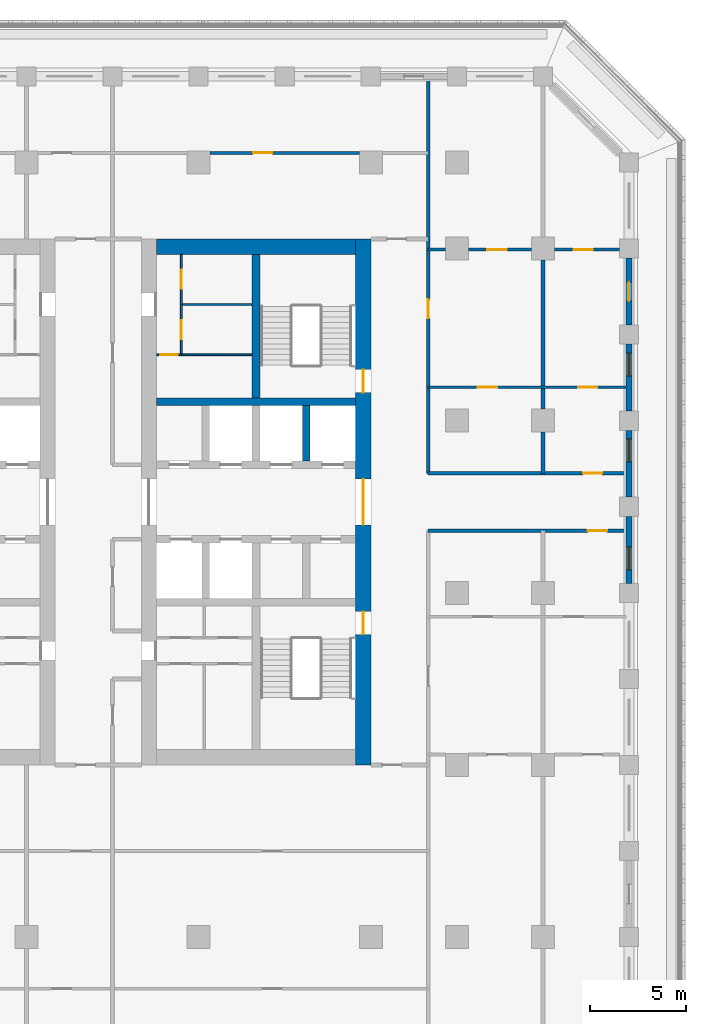
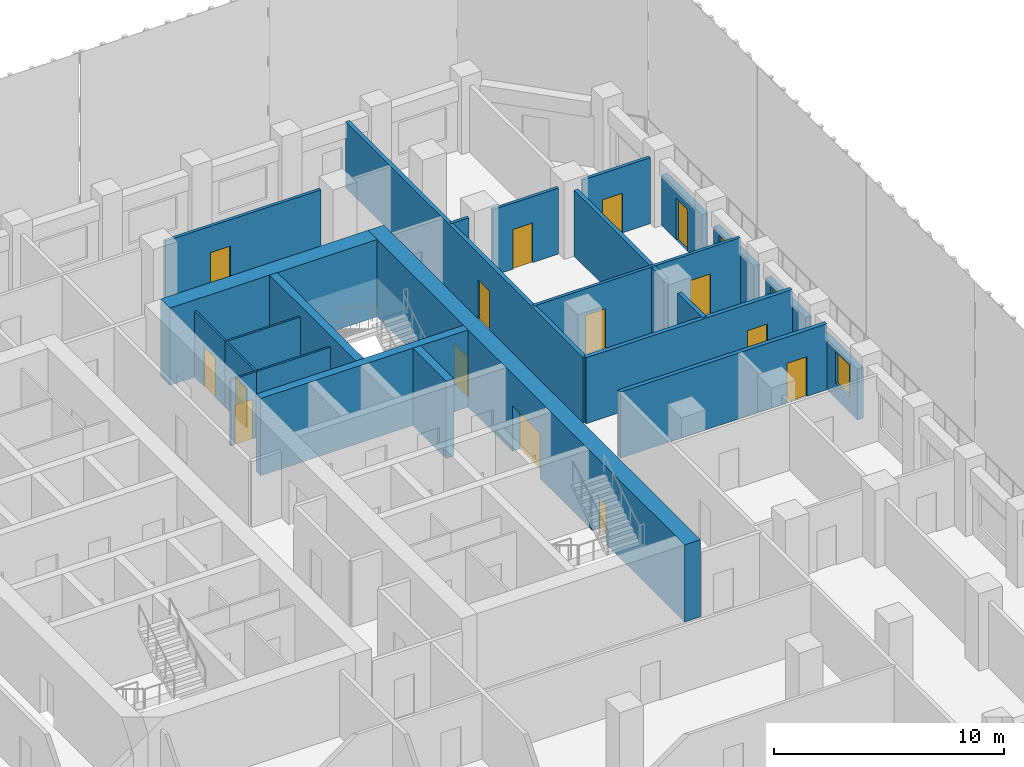
# One storey, part 8 of 17: 24 walls, 15 doors, 3 windows, 18 openings.
"""IFC4 building model written with IfcOpenShell, lengths in metres."""

from ifc_helpers import new_model, si_unit, direction, frame, frame_2d, origin, place, context, subcontext, project, spatial, rectangle, extrude, material, layer, layer_set, type_object, element, fill, save


model = new_model("IFC4")

# Units and contexts
model_context = context("Model", 3, precision=1e-05, world=origin(), true_north=direction((0.0, 1.0)))
body_context = subcontext(model_context, "Body", "Model", "MODEL_VIEW")
ifc_project = project(units=[si_unit("LENGTHUNIT", "METRE"), si_unit("AREAUNIT", "SQUARE_METRE"), si_unit("VOLUMEUNIT", "CUBIC_METRE"), si_unit("PLANEANGLEUNIT", "RADIAN"), si_unit("MASSUNIT", "GRAM", prefix="KILO")], contexts=[model_context])

# Site, building, storey
site_placement = place(None, origin())
site = spatial("IfcSite", under=ifc_project, at=site_placement, CompositionType="ELEMENT")
building_placement = place(site_placement, origin())
building = spatial("IfcBuilding", under=site, at=building_placement, Name="Corbel Stack Research Tower", CompositionType="ELEMENT")
storey_placement = place(building_placement, frame((0.0, 0.0, 216.10009765625)))
storey = spatial("IfcBuildingStorey", under=building, at=storey_placement, Name="L49", CompositionType="ELEMENT", Elevation=216.10009765625)

# Walls
ifc_material_1 = material(Name="Concrete C60/75", Category="concrete")
ifc_layer_1 = layer(ifc_material_1, 0.39990234375)
ifc_layer_set_1 = layer_set([ifc_layer_1], Name="Concrete C60/75")
wall_type_1 = type_object("IfcWallType", Name="CW-400-60", PredefinedType="SHEAR", material=ifc_layer_set_1)
wall_1_placement = place(storey_placement, frame((6.800048828125, 10.0, 0.0), z_axis=(0.0, 0.0, 1.0), x_axis=(1.0, 0.0, 0.0)))
element("IfcWall", 1, at=wall_1_placement, inside=storey, type_object=wall_type_1, Name="East core wall, north row back L49", PredefinedType="SHEAR", context=body_context, shape_type="SweptSolid", body=[
    extrude(rectangle(XDim=10.39990234375, YDim=0.39990234375, at=frame_2d((5.199951171875, 0.0))), origin(), (0.0, 0.0, 1.0), 4.099853515625),
])
wall_2_placement = place(storey_placement, frame((14.625, 6.89990234375, 0.0), z_axis=(0.0, 0.0, 1.0), x_axis=(0.0, 1.0, 0.0)))
element("IfcWall", 2, at=wall_2_placement, inside=storey, type_object=wall_type_1, Name="East core wall, north shaft 3 L49", PredefinedType="SHEAR", context=body_context, shape_type="SweptSolid", body=[
    extrude(rectangle(XDim=2.900146484375, YDim=0.39990234375, at=frame_2d((1.4501953125, 0.0))), origin(), (0.0, 0.0, 1.0), 4.099853515625),
])
wall_3_placement = place(storey_placement, frame((12.0, 10.199951171875, 0.0), z_axis=(0.0, 0.0, 1.0), x_axis=(0.0, 1.0, 0.0)))
element("IfcWall", 3, at=wall_3_placement, inside=storey, type_object=wall_type_1, Name="East core wall, north stair and riser L49", PredefinedType="SHEAR", context=body_context, shape_type="SweptSolid", body=[
    extrude(rectangle(XDim=7.5, YDim=0.39990234375, at=frame_2d((3.75, 0.0))), origin(), (0.0, 0.0, 1.0), 4.099853515625),
])

# Wall, openings, doors
ifc_material_2 = material(Name="Concrete C60/75", Category="concrete")
ifc_layer_2 = layer(ifc_material_2, 0.800048828125)
ifc_layer_set_2 = layer_set([ifc_layer_2], Name="Concrete C60/75")
wall_type_2 = type_object("IfcWallType", Name="CW-800-60", PredefinedType="SHEAR", material=ifc_layer_set_2)
wall_4_placement = place(storey_placement, frame((17.60009765625, -9.0, 0.0), z_axis=(0.0, 0.0, 1.0), x_axis=(0.0, 1.0, 0.0)))
wall_4 = element("IfcWall", 4, at=wall_4_placement, inside=storey, type_object=wall_type_2, Name="East core wall, east face L49", PredefinedType="SHEAR", context=body_context, shape_type="SweptSolid", body=[
    extrude(rectangle(XDim=27.5, YDim=0.800048828125, at=frame_2d((13.75, 0.0))), origin(), (0.0, 0.0, 1.0), 4.099853515625),
])
opening_1_placement = place(wall_4_placement, frame((12.550048828125, 0.0, 0.0)))
opening_1 = element("IfcOpeningElement", 5, at=opening_1_placement, cuts=wall_4, Name="Opening CD-E-E", PredefinedType="OPENING", context=body_context, shape_type="SweptSolid", body=[
    extrude(rectangle(XDim=2.39990234375, YDim=2.39990234375, at=frame_2d((1.199951171875, 1.199951171875))), frame((0.0, 0.409912109375, 0.0), z_axis=(0.0, -1.0, 0.0), x_axis=(1.0, 0.0, 0.0)), (0.0, 0.0, 1.0), 0.820068359375),
])
opening_2_placement = place(wall_4_placement, frame((6.824951171875, 0.0, 0.0)))
opening_2 = element("IfcOpeningElement", 6, at=opening_2_placement, cuts=wall_4, Name="Opening SD-ST-E1", PredefinedType="OPENING", context=body_context, shape_type="SweptSolid", body=[
    extrude(rectangle(XDim=1.199951171875, YDim=2.10009765625, at=frame_2d((0.60009765625, 1.050048828125))), frame((0.0, 0.409912109375, 0.0), z_axis=(0.0, -1.0, 0.0), x_axis=(1.0, 0.0, 0.0)), (0.0, 0.0, 1.0), 0.820068359375),
])
opening_3_placement = place(wall_4_placement, frame((19.47509765625, 0.0, 0.0)))
opening_3 = element("IfcOpeningElement", 7, at=opening_3_placement, cuts=wall_4, Name="Opening SD-ST-E2", PredefinedType="OPENING", context=body_context, shape_type="SweptSolid", body=[
    extrude(rectangle(XDim=1.199951171875, YDim=2.10009765625, at=frame_2d((0.60009765625, 1.050048828125))), frame((0.0, 0.409912109375, 0.0), z_axis=(0.0, -1.0, 0.0), x_axis=(1.0, 0.0, 0.0)), (0.0, 0.0, 1.0), 0.820068359375),
])
ifc_material_3 = material(Name="Painted steel fire door", Category="steel")
door_type_1 = type_object("IfcDoorType", Name="Lobby door pair 2400 x 2400 FD30S", OperationType="DOUBLE_DOOR_DOUBLE_SWING", PredefinedType="DOOR", material=ifc_material_3)
door_1_placement = place(opening_1_placement, origin())
door_1 = element("IfcDoor", 8, at=door_1_placement, inside=storey, type_object=door_type_1, Name="Lift lobby door E core E", OperationType="DOUBLE_DOOR_DOUBLE_SWING", OverallHeight=2.39990234375, OverallWidth=2.39990234375, PredefinedType="DOOR", context=body_context, shape_type="SweptSolid", body=[
    extrude(rectangle(XDim=2.39990234375, YDim=2.39990234375, at=frame_2d((1.199951171875, 1.199951171875))), frame((0.0, 0.02490234375, 0.0), z_axis=(0.0, -1.0, 0.0), x_axis=(1.0, 0.0, 0.0)), (0.0, 0.0, 1.0), 0.050048828125),
])
fill(opening_1, door_1)
ifc_material_4 = material(Name="Painted steel fire door", Category="steel")
door_type_2 = type_object("IfcDoorType", Name="Stair door 1200 x 2100 FD90 right hand", OperationType="SINGLE_SWING_RIGHT", PredefinedType="DOOR", material=ifc_material_4)
door_2_placement = place(opening_2_placement, frame((1.199951171875, 0.0, 0.0), z_axis=(0.0, 0.0, 1.0), x_axis=(-1.0, 0.0, 0.0)))
door_2 = element("IfcDoor", 9, at=door_2_placement, inside=storey, type_object=door_type_2, Name="Stair door ST-E1", OperationType="SINGLE_SWING_LEFT", OverallHeight=2.10009765625, OverallWidth=1.199951171875, PredefinedType="DOOR", context=body_context, shape_type="SweptSolid", body=[
    extrude(rectangle(XDim=1.199951171875, YDim=2.10009765625, at=frame_2d((0.60009765625, 1.050048828125))), frame((0.0, 0.02490234375, 0.0), z_axis=(0.0, -1.0, 0.0), x_axis=(1.0, 0.0, 0.0)), (0.0, 0.0, 1.0), 0.050048828125),
])
fill(opening_2, door_2)
door_3_placement = place(opening_3_placement, frame((1.199951171875, 0.0, 0.0), z_axis=(0.0, 0.0, 1.0), x_axis=(-1.0, 0.0, 0.0)))
door_3 = element("IfcDoor", 10, at=door_3_placement, inside=storey, type_object=door_type_2, Name="Stair door ST-E2", OperationType="SINGLE_SWING_LEFT", OverallHeight=2.10009765625, OverallWidth=1.199951171875, PredefinedType="DOOR", context=body_context, shape_type="SweptSolid", body=[
    extrude(rectangle(XDim=1.199951171875, YDim=2.10009765625, at=frame_2d((0.60009765625, 1.050048828125))), frame((0.0, 0.02490234375, 0.0), z_axis=(0.0, -1.0, 0.0), x_axis=(1.0, 0.0, 0.0)), (0.0, 0.0, 1.0), 0.050048828125),
])
fill(opening_3, door_3)

# Wall
wall_5_placement = place(storey_placement, frame((6.800048828125, 18.10009765625, 0.0), z_axis=(0.0, 0.0, 1.0), x_axis=(1.0, 0.0, 0.0)))
element("IfcWall", 11, at=wall_5_placement, inside=storey, type_object=wall_type_2, Name="East core wall, north end L49", PredefinedType="SHEAR", context=body_context, shape_type="SweptSolid", body=[
    extrude(rectangle(XDim=10.39990234375, YDim=0.800048828125, at=frame_2d((5.199951171875, 0.0))), origin(), (0.0, 0.0, 1.0), 4.099853515625),
])

# Wall, opening, door
ifc_material_5 = material(Name="Gypsum board")
ifc_layer_3 = layer(ifc_material_5, 0.10009765625)
ifc_layer_set_3 = layer_set([ifc_layer_3], Name="Gypsum board")
wall_type_3 = type_object("IfcWallType", Name="Core partition 100", PredefinedType="PARTITIONING", material=ifc_layer_set_3)
wall_6_placement = place(storey_placement, frame((6.800048828125, 12.449951171875, 0.0), z_axis=(0.0, 0.0, 1.0), x_axis=(1.0, 0.0, 0.0)))
wall_6 = element("IfcWall", 12, at=wall_6_placement, inside=storey, type_object=wall_type_3, Name="Core partition E", PredefinedType="PARTITIONING", context=body_context, shape_type="SweptSolid", body=[
    extrude(rectangle(XDim=1.300048828125, YDim=0.10009765625, at=frame_2d((0.64990234375, 0.0))), origin(), (0.0, 0.0, 1.0), 3.5),
])
opening_4_placement = place(wall_6_placement, frame((0.199951171875, 0.0, 0.0)))
opening_4 = element("IfcOpeningElement", 13, at=opening_4_placement, cuts=wall_6, Name="Opening CR-E54-R1-900", PredefinedType="OPENING", context=body_context, shape_type="SweptSolid", body=[
    extrude(rectangle(XDim=0.89990234375, YDim=2.10009765625, at=frame_2d((0.449951171875, 1.050048828125))), frame((0.0, 0.06005859375, 0.0), z_axis=(0.0, -1.0, 0.0), x_axis=(1.0, 0.0, 0.0)), (0.0, 0.0, 1.0), 0.1201171875),
])
ifc_material_6 = material(Name="Painted steel door", Category="steel")
door_type_3 = type_object("IfcDoorType", Name="Riser door 900 x 2100 FD60 right hand", OperationType="SINGLE_SWING_RIGHT", PredefinedType="DOOR", material=ifc_material_6)
door_4_placement = place(opening_4_placement, origin())
door_4 = element("IfcDoor", 14, at=door_4_placement, inside=storey, type_object=door_type_3, Name="Electrical riser door E core", OperationType="SINGLE_SWING_RIGHT", OverallHeight=2.10009765625, OverallWidth=0.89990234375, PredefinedType="DOOR", context=body_context, shape_type="SweptSolid", body=[
    extrude(rectangle(XDim=0.89990234375, YDim=2.10009765625, at=frame_2d((0.449951171875, 1.050048828125))), frame((0.0, 0.02490234375, 0.0), z_axis=(0.0, -1.0, 0.0), x_axis=(1.0, 0.0, 0.0)), (0.0, 0.0, 1.0), 0.050048828125),
])
fill(opening_4, door_4)

# Wall
wall_7_placement = place(storey_placement, frame((8.10009765625, 12.449951171875, 0.0), z_axis=(0.0, 0.0, 1.0), x_axis=(1.0, 0.0, 0.0)))
element("IfcWall", 15, at=wall_7_placement, inside=storey, type_object=wall_type_3, Name="Core partition E", PredefinedType="PARTITIONING", context=body_context, shape_type="SweptSolid", body=[
    extrude(rectangle(XDim=3.699951171875, YDim=0.10009765625, at=frame_2d((1.85009765625, 0.0))), origin(), (0.0, 0.0, 1.0), 3.5),
])

# Wall, opening, door
wall_8_placement = place(storey_placement, frame((8.10009765625, 12.449951171875, 0.0), z_axis=(0.0, 0.0, 1.0), x_axis=(0.0, 1.0, 0.0)))
wall_8 = element("IfcWall", 16, at=wall_8_placement, inside=storey, type_object=wall_type_3, Name="Core partition E", PredefinedType="PARTITIONING", context=body_context, shape_type="SweptSolid", body=[
    extrude(rectangle(XDim=2.625, YDim=0.10009765625, at=frame_2d((1.3125, 0.0))), origin(), (0.0, 0.0, 1.0), 3.5),
])
opening_5_placement = place(wall_8_placement, frame((0.8125, 0.0, 0.0)))
opening_5 = element("IfcOpeningElement", 17, at=opening_5_placement, cuts=wall_8, Name="Opening CR-E54-R3-1000", PredefinedType="OPENING", context=body_context, shape_type="SweptSolid", body=[
    extrude(rectangle(XDim=1.0, YDim=2.10009765625, at=frame_2d((0.5, 1.050048828125))), frame((0.0, 0.06005859375, 0.0), z_axis=(0.0, -1.0, 0.0), x_axis=(1.0, 0.0, 0.0)), (0.0, 0.0, 1.0), 0.1201171875),
])
ifc_material_7 = material(Name="Painted steel door", Category="steel")
door_type_4 = type_object("IfcDoorType", Name="Service door 1000 x 2100 FD30 right hand", OperationType="SINGLE_SWING_RIGHT", PredefinedType="DOOR", material=ifc_material_7)
door_5_placement = place(opening_5_placement, origin())
door_5 = element("IfcDoor", 18, at=door_5_placement, inside=storey, type_object=door_type_4, Name="Pantry door E core", OperationType="SINGLE_SWING_RIGHT", OverallHeight=2.10009765625, OverallWidth=1.0, PredefinedType="DOOR", context=body_context, shape_type="SweptSolid", body=[
    extrude(rectangle(XDim=1.0, YDim=2.10009765625, at=frame_2d((0.5, 1.050048828125))), frame((0.0, 0.02490234375, 0.0), z_axis=(0.0, -1.0, 0.0), x_axis=(1.0, 0.0, 0.0)), (0.0, 0.0, 1.0), 0.050048828125),
])
fill(opening_5, door_5)

wall_9_placement = place(storey_placement, frame((8.10009765625, 15.074951171875, 0.0), z_axis=(0.0, 0.0, 1.0), x_axis=(0.0, 1.0, 0.0)))
wall_9 = element("IfcWall", 19, at=wall_9_placement, inside=storey, type_object=wall_type_3, Name="Core partition E", PredefinedType="PARTITIONING", context=body_context, shape_type="SweptSolid", body=[
    extrude(rectangle(XDim=2.625, YDim=0.10009765625, at=frame_2d((1.3125, 0.0))), origin(), (0.0, 0.0, 1.0), 3.5),
])
opening_6_placement = place(wall_9_placement, frame((0.8125, 0.0, 0.0)))
opening_6 = element("IfcOpeningElement", 20, at=opening_6_placement, cuts=wall_9, Name="Opening CR-E54-R4-1000", PredefinedType="OPENING", context=body_context, shape_type="SweptSolid", body=[
    extrude(rectangle(XDim=1.0, YDim=2.10009765625, at=frame_2d((0.5, 1.050048828125))), frame((0.0, 0.06005859375, 0.0), z_axis=(0.0, -1.0, 0.0), x_axis=(1.0, 0.0, 0.0)), (0.0, 0.0, 1.0), 0.1201171875),
])
ifc_material_8 = material(Name="Painted steel door", Category="steel")
door_type_5 = type_object("IfcDoorType", Name="Service door 1000 x 2100 FD30 left hand", OperationType="SINGLE_SWING_LEFT", PredefinedType="DOOR", material=ifc_material_8)
door_6_placement = place(opening_6_placement, origin())
door_6 = element("IfcDoor", 21, at=door_6_placement, inside=storey, type_object=door_type_5, Name="Copy and supply store door E core", OperationType="SINGLE_SWING_LEFT", OverallHeight=2.10009765625, OverallWidth=1.0, PredefinedType="DOOR", context=body_context, shape_type="SweptSolid", body=[
    extrude(rectangle(XDim=1.0, YDim=2.10009765625, at=frame_2d((0.5, 1.050048828125))), frame((0.0, 0.02490234375, 0.0), z_axis=(0.0, -1.0, 0.0), x_axis=(1.0, 0.0, 0.0)), (0.0, 0.0, 1.0), 0.050048828125),
])
fill(opening_6, door_6)

# Wall
wall_10_placement = place(storey_placement, frame((8.10009765625, 15.074951171875, 0.0), z_axis=(0.0, 0.0, 1.0), x_axis=(1.0, 0.0, 0.0)))
element("IfcWall", 22, at=wall_10_placement, inside=storey, type_object=wall_type_3, Name="Core partition E", PredefinedType="PARTITIONING", context=body_context, shape_type="SweptSolid", body=[
    extrude(rectangle(XDim=3.699951171875, YDim=0.10009765625, at=frame_2d((1.85009765625, 0.0))), origin(), (0.0, 0.0, 1.0), 3.5),
])

# Wall, opening, door
ifc_material_9 = material(Name="Fire-rated gypsum board partition on steel studs", Category="steel")
ifc_layer_4 = layer(ifc_material_9, 0.199951171875)
ifc_layer_set_4 = layer_set([ifc_layer_4], Name="Fire-rated gypsum board partition on steel studs")
wall_type_4 = type_object("IfcWallType", Name="Fire-rated partition 200 EI 60", PredefinedType="PARTITIONING", material=ifc_layer_set_4)
wall_11_placement = place(storey_placement, frame((21.0, 26.85009765625, 0.0), z_axis=(0.0, 0.0, 1.0), x_axis=(0.0, -1.0, 0.0)))
wall_11 = element("IfcWall", 23, at=wall_11_placement, inside=storey, type_object=wall_type_4, Name="Partition L49-022", PredefinedType="PARTITIONING", context=body_context, shape_type="SweptSolid", body=[
    extrude(rectangle(XDim=20.60009765625, YDim=0.199951171875, at=frame_2d((10.300048828125, 0.0))), origin(), (0.0, 0.0, 1.0), 3.5),
])
opening_7_placement = place(wall_11_placement, frame((11.5, 0.0, 0.0)))
opening_7 = element("IfcOpeningElement", 24, at=opening_7_placement, cuts=wall_11, Name="Opening B6V2-043", PredefinedType="OPENING", context=body_context, shape_type="SweptSolid", body=[
    extrude(rectangle(XDim=1.0, YDim=2.10009765625, at=frame_2d((0.5, 1.050048828125))), frame((0.0, 0.10986328125, 0.0), z_axis=(0.0, -1.0, 0.0), x_axis=(1.0, 0.0, 0.0)), (0.0, 0.0, 1.0), 0.219970703125),
])
ifc_material_10 = material(Name="Painted steel fire door", Category="steel")
door_type_6 = type_object("IfcDoorType", Name="Fire door FD30S 1000 x 2100", OperationType="NOTDEFINED", PredefinedType="DOOR", material=ifc_material_10)
door_7_placement = place(opening_7_placement, origin())
door_7 = element("IfcDoor", 25, at=door_7_placement, inside=storey, type_object=door_type_6, Name="Door B6V2-043", OperationType="SINGLE_SWING_RIGHT", OverallHeight=2.10009765625, OverallWidth=1.0, PredefinedType="DOOR", context=body_context, shape_type="SweptSolid", body=[
    extrude(rectangle(XDim=1.0, YDim=2.10009765625, at=frame_2d((0.5, 1.050048828125))), frame((0.0, 0.02490234375, 0.0), z_axis=(0.0, -1.0, 0.0), x_axis=(1.0, 0.0, 0.0)), (0.0, 0.0, 1.0), 0.050048828125),
])
fill(opening_7, door_7)

# Walls
wall_12_placement = place(storey_placement, frame((27.0, 6.25, 0.0), z_axis=(0.0, 0.0, 1.0), x_axis=(0.0, 1.0, 0.0)))
element("IfcWall", 26, at=wall_12_placement, inside=storey, type_object=wall_type_4, Name="Partition L49-027", PredefinedType="PARTITIONING", context=body_context, shape_type="SweptSolid", body=[
    extrude(rectangle(XDim=2.14990234375, YDim=0.199951171875, at=frame_2d((1.074951171875, 0.0))), origin(), (0.0, 0.0, 1.0), 3.5),
])
wall_13_placement = place(storey_placement, frame((27.0, 9.60009765625, 0.0), z_axis=(0.0, 0.0, 1.0), x_axis=(0.0, 1.0, 0.0)))
element("IfcWall", 27, at=wall_13_placement, inside=storey, type_object=wall_type_4, Name="Partition L49-028", PredefinedType="PARTITIONING", context=body_context, shape_type="SweptSolid", body=[
    extrude(rectangle(XDim=7.7998046875, YDim=0.199951171875, at=frame_2d((3.89990234375, 0.0))), origin(), (0.0, 0.0, 1.0), 3.5),
])

# Wall, opening, door
wall_14_placement = place(storey_placement, frame((31.35009765625, 3.25, 0.0), z_axis=(0.0, 0.0, 1.0), x_axis=(-1.0, 0.0, 0.0)))
wall_14 = element("IfcWall", 28, at=wall_14_placement, inside=storey, type_object=wall_type_4, Name="Partition L49-046", PredefinedType="PARTITIONING", context=body_context, shape_type="SweptSolid", body=[
    extrude(rectangle(XDim=10.35009765625, YDim=0.199951171875, at=frame_2d((5.175048828125, 0.0))), origin(), (0.0, 0.0, 1.0), 3.5),
])
opening_8_placement = place(wall_14_placement, frame((1.0, 0.0, 0.0)))
opening_8 = element("IfcOpeningElement", 29, at=opening_8_placement, cuts=wall_14, Name="Opening B6V2-025", PredefinedType="OPENING", context=body_context, shape_type="SweptSolid", body=[
    extrude(rectangle(XDim=1.0, YDim=2.10009765625, at=frame_2d((0.5, 1.050048828125))), frame((0.0, 0.10986328125, 0.0), z_axis=(0.0, -1.0, 0.0), x_axis=(1.0, 0.0, 0.0)), (0.0, 0.0, 1.0), 0.219970703125),
])
door_8_placement = place(opening_8_placement, origin())
door_8 = element("IfcDoor", 30, at=door_8_placement, inside=storey, type_object=door_type_6, Name="Door B6V2-025", OperationType="SINGLE_SWING_LEFT", OverallHeight=2.10009765625, OverallWidth=1.0, PredefinedType="DOOR", context=body_context, shape_type="SweptSolid", body=[
    extrude(rectangle(XDim=1.0, YDim=2.10009765625, at=frame_2d((0.5, 1.050048828125))), frame((0.0, 0.02490234375, 0.0), z_axis=(0.0, -1.0, 0.0), x_axis=(1.0, 0.0, 0.0)), (0.0, 0.0, 1.0), 0.050048828125),
])
fill(opening_8, door_8)

wall_15_placement = place(storey_placement, frame((21.0, 6.25, 0.0), z_axis=(0.0, 0.0, 1.0), x_axis=(1.0, 0.0, 0.0)))
wall_15 = element("IfcWall", 31, at=wall_15_placement, inside=storey, type_object=wall_type_4, Name="Partition L49-048", PredefinedType="PARTITIONING", context=body_context, shape_type="SweptSolid", body=[
    extrude(rectangle(XDim=10.35009765625, YDim=0.199951171875, at=frame_2d((5.175048828125, 0.0))), origin(), (0.0, 0.0, 1.0), 3.5),
])
opening_9_placement = place(wall_15_placement, frame((8.10009765625, 0.0, 0.0)))
opening_9 = element("IfcOpeningElement", 32, at=opening_9_placement, cuts=wall_15, Name="Opening B6V2-030", PredefinedType="OPENING", context=body_context, shape_type="SweptSolid", body=[
    extrude(rectangle(XDim=1.0, YDim=2.10009765625, at=frame_2d((0.5, 1.050048828125))), frame((0.0, 0.10986328125, 0.0), z_axis=(0.0, -1.0, 0.0), x_axis=(1.0, 0.0, 0.0)), (0.0, 0.0, 1.0), 0.219970703125),
])
door_9_placement = place(opening_9_placement, origin())
door_9 = element("IfcDoor", 33, at=door_9_placement, inside=storey, type_object=door_type_6, Name="Door B6V2-030", OperationType="SINGLE_SWING_RIGHT", OverallHeight=2.10009765625, OverallWidth=1.0, PredefinedType="DOOR", context=body_context, shape_type="SweptSolid", body=[
    extrude(rectangle(XDim=1.0, YDim=2.10009765625, at=frame_2d((0.5, 1.050048828125))), frame((0.0, 0.02490234375, 0.0), z_axis=(0.0, -1.0, 0.0), x_axis=(1.0, 0.0, 0.0)), (0.0, 0.0, 1.0), 0.050048828125),
])
fill(opening_9, door_9)

# Wall, openings, doors
ifc_material_11 = material(Name="Gypsum board partition on steel studs", Category="steel")
ifc_layer_5 = layer(ifc_material_11, 0.14990234375)
ifc_layer_set_5 = layer_set([ifc_layer_5], Name="Gypsum board partition on steel studs")
wall_type_5 = type_object("IfcWallType", Name="Partition 150", PredefinedType="PARTITIONING", material=ifc_layer_set_5)
wall_16_placement = place(storey_placement, frame((31.35009765625, 10.75, 0.0), z_axis=(0.0, 0.0, 1.0), x_axis=(-1.0, 0.0, 0.0)))
wall_16 = element("IfcWall", 34, at=wall_16_placement, inside=storey, type_object=wall_type_5, Name="Partition L49-051", PredefinedType="PARTITIONING", context=body_context, shape_type="SweptSolid", body=[
    extrude(rectangle(XDim=10.35009765625, YDim=0.14990234375, at=frame_2d((5.175048828125, 0.0))), origin(), (0.0, 0.0, 1.0), 3.5),
])
opening_10_placement = place(wall_16_placement, frame((6.75, 0.0, 0.0)))
opening_10 = element("IfcOpeningElement", 35, at=opening_10_placement, cuts=wall_16, Name="Opening B6V2-033", PredefinedType="OPENING", context=body_context, shape_type="SweptSolid", body=[
    extrude(rectangle(XDim=1.0, YDim=2.10009765625, at=frame_2d((0.5, 1.050048828125))), frame((0.0, 0.0849609375, 0.0), z_axis=(0.0, -1.0, 0.0), x_axis=(1.0, 0.0, 0.0)), (0.0, 0.0, 1.0), 0.169921875),
])
opening_11_placement = place(wall_16_placement, frame((1.5, 0.0, 0.0)))
opening_11 = element("IfcOpeningElement", 36, at=opening_11_placement, cuts=wall_16, Name="Opening B6V2-034", PredefinedType="OPENING", context=body_context, shape_type="SweptSolid", body=[
    extrude(rectangle(XDim=1.0, YDim=2.10009765625, at=frame_2d((0.5, 1.050048828125))), frame((0.0, 0.0849609375, 0.0), z_axis=(0.0, -1.0, 0.0), x_axis=(1.0, 0.0, 0.0)), (0.0, 0.0, 1.0), 0.169921875),
])
ifc_material_12 = material(Name="Painted timber door", Category="wood")
door_type_7 = type_object("IfcDoorType", Name="Single door 1000 x 2100", OperationType="NOTDEFINED", PredefinedType="DOOR", material=ifc_material_12)
door_10_placement = place(opening_10_placement, origin())
door_10 = element("IfcDoor", 37, at=door_10_placement, inside=storey, type_object=door_type_7, Name="Door B6V2-033", OperationType="SINGLE_SWING_RIGHT", OverallHeight=2.10009765625, OverallWidth=1.0, PredefinedType="DOOR", context=body_context, shape_type="SweptSolid", body=[
    extrude(rectangle(XDim=1.0, YDim=2.10009765625, at=frame_2d((0.5, 1.050048828125))), frame((0.0, 0.02490234375, 0.0), z_axis=(0.0, -1.0, 0.0), x_axis=(1.0, 0.0, 0.0)), (0.0, 0.0, 1.0), 0.050048828125),
])
fill(opening_10, door_10)
door_11_placement = place(opening_11_placement, origin())
door_11 = element("IfcDoor", 38, at=door_11_placement, inside=storey, type_object=door_type_7, Name="Door B6V2-034", OperationType="SINGLE_SWING_LEFT", OverallHeight=2.10009765625, OverallWidth=1.0, PredefinedType="DOOR", context=body_context, shape_type="SweptSolid", body=[
    extrude(rectangle(XDim=1.0, YDim=2.10009765625, at=frame_2d((0.5, 1.050048828125))), frame((0.0, 0.02490234375, 0.0), z_axis=(0.0, -1.0, 0.0), x_axis=(1.0, 0.0, 0.0)), (0.0, 0.0, 1.0), 0.050048828125),
])
fill(opening_11, door_11)

# Wall
wall_17_placement = place(storey_placement, frame((21.0, 17.949951171875, 0.0), z_axis=(0.0, 0.0, 1.0), x_axis=(1.0, 0.0, 0.0)))
element("IfcWall", 39, at=wall_17_placement, inside=storey, type_object=wall_type_5, Name="Partition L49-054", PredefinedType="PARTITIONING", context=body_context, shape_type="SweptSolid", body=[
    extrude(rectangle(XDim=0.89990234375, YDim=0.14990234375, at=frame_2d((0.449951171875, 0.0))), origin(), (0.0, 0.0, 1.0), 3.5),
])

# Wall, opening, door
wall_18_placement = place(storey_placement, frame((23.10009765625, 17.949951171875, 0.0), z_axis=(0.0, 0.0, 1.0), x_axis=(1.0, 0.0, 0.0)))
wall_18 = element("IfcWall", 40, at=wall_18_placement, inside=storey, type_object=wall_type_5, Name="Partition L49-055", PredefinedType="PARTITIONING", context=body_context, shape_type="SweptSolid", body=[
    extrude(rectangle(XDim=3.2998046875, YDim=0.14990234375, at=frame_2d((1.64990234375, 0.0))), origin(), (0.0, 0.0, 1.0), 3.5),
])
opening_12_placement = place(wall_18_placement, frame((1.0, 0.0, 0.0)))
opening_12 = element("IfcOpeningElement", 41, at=opening_12_placement, cuts=wall_18, Name="Opening B6V2-037", PredefinedType="OPENING", context=body_context, shape_type="SweptSolid", body=[
    extrude(rectangle(XDim=1.0, YDim=2.10009765625, at=frame_2d((0.5, 1.050048828125))), frame((0.0, 0.0849609375, 0.0), z_axis=(0.0, -1.0, 0.0), x_axis=(1.0, 0.0, 0.0)), (0.0, 0.0, 1.0), 0.169921875),
])
door_12_placement = place(opening_12_placement, origin())
door_12 = element("IfcDoor", 42, at=door_12_placement, inside=storey, type_object=door_type_7, Name="Door B6V2-037", OperationType="SINGLE_SWING_LEFT", OverallHeight=2.10009765625, OverallWidth=1.0, PredefinedType="DOOR", context=body_context, shape_type="SweptSolid", body=[
    extrude(rectangle(XDim=1.0, YDim=2.10009765625, at=frame_2d((0.5, 1.050048828125))), frame((0.0, 0.02490234375, 0.0), z_axis=(0.0, -1.0, 0.0), x_axis=(1.0, 0.0, 0.0)), (0.0, 0.0, 1.0), 0.050048828125),
])
fill(opening_12, door_12)

wall_19_placement = place(storey_placement, frame((27.60009765625, 17.949951171875, 0.0), z_axis=(0.0, 0.0, 1.0), x_axis=(1.0, 0.0, 0.0)))
wall_19 = element("IfcWall", 43, at=wall_19_placement, inside=storey, type_object=wall_type_5, Name="Partition L49-056", PredefinedType="PARTITIONING", context=body_context, shape_type="SweptSolid", body=[
    extrude(rectangle(XDim=3.39990234375, YDim=0.14990234375, at=frame_2d((1.699951171875, 0.0))), origin(), (0.0, 0.0, 1.0), 3.5),
])
opening_13_placement = place(wall_19_placement, frame((1.0, 0.0, 0.0)))
opening_13 = element("IfcOpeningElement", 44, at=opening_13_placement, cuts=wall_19, Name="Opening B6V2-038", PredefinedType="OPENING", context=body_context, shape_type="SweptSolid", body=[
    extrude(rectangle(XDim=1.0, YDim=2.10009765625, at=frame_2d((0.5, 1.050048828125))), frame((0.0, 0.0849609375, 0.0), z_axis=(0.0, -1.0, 0.0), x_axis=(1.0, 0.0, 0.0)), (0.0, 0.0, 1.0), 0.169921875),
])
door_13_placement = place(opening_13_placement, origin())
door_13 = element("IfcDoor", 45, at=door_13_placement, inside=storey, type_object=door_type_7, Name="Door B6V2-038", OperationType="SINGLE_SWING_LEFT", OverallHeight=2.10009765625, OverallWidth=1.0, PredefinedType="DOOR", context=body_context, shape_type="SweptSolid", body=[
    extrude(rectangle(XDim=1.0, YDim=2.10009765625, at=frame_2d((0.5, 1.050048828125))), frame((0.0, 0.02490234375, 0.0), z_axis=(0.0, -1.0, 0.0), x_axis=(1.0, 0.0, 0.0)), (0.0, 0.0, 1.0), 0.050048828125),
])
fill(opening_13, door_13)

wall_20_placement = place(storey_placement, frame((9.60009765625, 23.0, 0.0), z_axis=(0.0, 0.0, 1.0), x_axis=(1.0, 0.0, 0.0)))
wall_20 = element("IfcWall", 46, at=wall_20_placement, inside=storey, type_object=wall_type_5, Name="Partition L49-063", PredefinedType="PARTITIONING", context=body_context, shape_type="SweptSolid", body=[
    extrude(rectangle(XDim=7.7998046875, YDim=0.14990234375, at=frame_2d((3.89990234375, 0.0))), origin(), (0.0, 0.0, 1.0), 3.5),
])
opening_14_placement = place(wall_20_placement, frame((2.25, 0.0, 0.0)))
opening_14 = element("IfcOpeningElement", 47, at=opening_14_placement, cuts=wall_20, Name="Opening B6V2-047", PredefinedType="OPENING", context=body_context, shape_type="SweptSolid", body=[
    extrude(rectangle(XDim=1.0, YDim=2.10009765625, at=frame_2d((0.5, 1.050048828125))), frame((0.0, 0.0849609375, 0.0), z_axis=(0.0, -1.0, 0.0), x_axis=(1.0, 0.0, 0.0)), (0.0, 0.0, 1.0), 0.169921875),
])
door_14_placement = place(opening_14_placement, origin())
door_14 = element("IfcDoor", 48, at=door_14_placement, inside=storey, type_object=door_type_7, Name="Door B6V2-047", OperationType="SINGLE_SWING_LEFT", OverallHeight=2.10009765625, OverallWidth=1.0, PredefinedType="DOOR", context=body_context, shape_type="SweptSolid", body=[
    extrude(rectangle(XDim=1.0, YDim=2.10009765625, at=frame_2d((0.5, 1.050048828125))), frame((0.0, 0.02490234375, 0.0), z_axis=(0.0, -1.0, 0.0), x_axis=(1.0, 0.0, 0.0)), (0.0, 0.0, 1.0), 0.050048828125),
])
fill(opening_14, door_14)

# Wall, opening, window
ifc_material_13 = material(Name="Concrete C45/55", Category="concrete")
ifc_layer_6 = layer(ifc_material_13, 0.300048828125)
ifc_layer_set_6 = layer_set([ifc_layer_6], Name="Concrete C45/55")
wall_type_6 = type_object("IfcWallType", Name="Terracotta-faced concrete wall 300", PredefinedType="SOLIDWALL", material=ifc_layer_set_6)
wall_21_placement = place(storey_placement, frame((31.5, 4.0, 0.0), z_axis=(0.0, 0.0, 1.0), x_axis=(0.0, -1.0, 0.0)))
wall_21 = element("IfcWall", 49, at=wall_21_placement, inside=storey, type_object=wall_type_6, Name="Facade wall L49 E06", PredefinedType="SOLIDWALL", context=body_context, shape_type="SweptSolid", body=[
    extrude(rectangle(XDim=3.5, YDim=0.300048828125, at=frame_2d((1.75, 0.0))), origin(), (0.0, 0.0, 1.0), 2.699951171875),
])
opening_15_placement = place(wall_21_placement, frame((1.60009765625, 0.0, 0.800048828125)))
opening_15 = element("IfcOpeningElement", 50, at=opening_15_placement, cuts=wall_21, Name="Opening W2", PredefinedType="OPENING", context=body_context, shape_type="SweptSolid", body=[
    extrude(rectangle(XDim=1.199951171875, YDim=1.699951171875, at=frame_2d((0.60009765625, 0.85009765625))), frame((0.0, 0.159912109375, 0.0), z_axis=(0.0, -1.0, 0.0), x_axis=(1.0, 0.0, 0.0)), (0.0, 0.0, 1.0), 0.320068359375),
])
ifc_material_14 = material(Name="Aluminium frame, clear double glazing", Category="aluminium")
window_type = type_object("IfcWindowType", Name="Window W2 1200 x 1700", PartitioningType="SINGLE_PANEL", PredefinedType="WINDOW", material=ifc_material_14)
window_1_placement = place(opening_15_placement, origin())
window_1 = element("IfcWindow", 51, at=window_1_placement, inside=storey, type_object=window_type, Name="Window W2 L49 E06", OverallHeight=1.699951171875, OverallWidth=1.199951171875, PartitioningType="SINGLE_PANEL", PredefinedType="WINDOW", context=body_context, shape_type="SweptSolid", body=[
    extrude(rectangle(XDim=1.199951171875, YDim=1.699951171875, at=frame_2d((0.60009765625, 0.85009765625))), frame((0.0, 0.030029296875, 0.0), z_axis=(0.0, -1.0, 0.0), x_axis=(1.0, 0.0, 0.0)), (0.0, 0.0, 1.0), 0.06005859375),
])
fill(opening_15, window_1)

wall_22_placement = place(storey_placement, frame((31.5, 8.5, 0.0), z_axis=(0.0, 0.0, 1.0), x_axis=(0.0, -1.0, 0.0)))
wall_22 = element("IfcWall", 52, at=wall_22_placement, inside=storey, type_object=wall_type_6, Name="Facade wall L49 E07", PredefinedType="SOLIDWALL", context=body_context, shape_type="SweptSolid", body=[
    extrude(rectangle(XDim=3.5, YDim=0.300048828125, at=frame_2d((1.75, 0.0))), origin(), (0.0, 0.0, 1.0), 2.699951171875),
])
opening_16_placement = place(wall_22_placement, frame((0.449951171875, 0.0, 0.800048828125)))
opening_16 = element("IfcOpeningElement", 53, at=opening_16_placement, cuts=wall_22, Name="Opening W2", PredefinedType="OPENING", context=body_context, shape_type="SweptSolid", body=[
    extrude(rectangle(XDim=1.199951171875, YDim=1.699951171875, at=frame_2d((0.60009765625, 0.85009765625))), frame((0.0, 0.159912109375, 0.0), z_axis=(0.0, -1.0, 0.0), x_axis=(1.0, 0.0, 0.0)), (0.0, 0.0, 1.0), 0.320068359375),
])
window_2_placement = place(opening_16_placement, origin())
window_2 = element("IfcWindow", 54, at=window_2_placement, inside=storey, type_object=window_type, Name="Window W2 L49 E07", OverallHeight=1.699951171875, OverallWidth=1.199951171875, PartitioningType="SINGLE_PANEL", PredefinedType="WINDOW", context=body_context, shape_type="SweptSolid", body=[
    extrude(rectangle(XDim=1.199951171875, YDim=1.699951171875, at=frame_2d((0.60009765625, 0.85009765625))), frame((0.0, 0.030029296875, 0.0), z_axis=(0.0, -1.0, 0.0), x_axis=(1.0, 0.0, 0.0)), (0.0, 0.0, 1.0), 0.06005859375),
])
fill(opening_16, window_2)

wall_23_placement = place(storey_placement, frame((31.5, 13.0, 0.0), z_axis=(0.0, 0.0, 1.0), x_axis=(0.0, -1.0, 0.0)))
wall_23 = element("IfcWall", 55, at=wall_23_placement, inside=storey, type_object=wall_type_6, Name="Facade wall L49 E08", PredefinedType="SOLIDWALL", context=body_context, shape_type="SweptSolid", body=[
    extrude(rectangle(XDim=3.5, YDim=0.300048828125, at=frame_2d((1.75, 0.0))), origin(), (0.0, 0.0, 1.0), 2.699951171875),
])
opening_17_placement = place(wall_23_placement, frame((0.46240234375, 0.0, 0.800048828125)))
opening_17 = element("IfcOpeningElement", 56, at=opening_17_placement, cuts=wall_23, Name="Opening W2", PredefinedType="OPENING", context=body_context, shape_type="SweptSolid", body=[
    extrude(rectangle(XDim=1.199951171875, YDim=1.699951171875, at=frame_2d((0.60009765625, 0.85009765625))), frame((0.0, 0.159912109375, 0.0), z_axis=(0.0, -1.0, 0.0), x_axis=(1.0, 0.0, 0.0)), (0.0, 0.0, 1.0), 0.320068359375),
])
window_3_placement = place(opening_17_placement, origin())
window_3 = element("IfcWindow", 57, at=window_3_placement, inside=storey, type_object=window_type, Name="Window W2 L49 E08", OverallHeight=1.699951171875, OverallWidth=1.199951171875, PartitioningType="SINGLE_PANEL", PredefinedType="WINDOW", context=body_context, shape_type="SweptSolid", body=[
    extrude(rectangle(XDim=1.199951171875, YDim=1.699951171875, at=frame_2d((0.60009765625, 0.85009765625))), frame((0.0, 0.030029296875, 0.0), z_axis=(0.0, -1.0, 0.0), x_axis=(1.0, 0.0, 0.0)), (0.0, 0.0, 1.0), 0.06005859375),
])
fill(opening_17, window_3)

# Wall, opening, door
wall_24_placement = place(storey_placement, frame((31.5, 17.5, 0.0), z_axis=(0.0, 0.0, 1.0), x_axis=(0.0, -1.0, 0.0)))
wall_24 = element("IfcWall", 58, at=wall_24_placement, inside=storey, type_object=wall_type_6, Name="Facade wall L49 E09", PredefinedType="SOLIDWALL", context=body_context, shape_type="SweptSolid", body=[
    extrude(rectangle(XDim=3.5, YDim=0.300048828125, at=frame_2d((1.75, 0.0))), origin(), (0.0, 0.0, 1.0), 2.699951171875),
])
opening_18_placement = place(wall_24_placement, frame((1.25, 0.0, 0.0)))
opening_18 = element("IfcOpeningElement", 59, at=opening_18_placement, cuts=wall_24, Name="Opening L49-B05", PredefinedType="OPENING", context=body_context, shape_type="SweptSolid", body=[
    extrude(rectangle(XDim=1.0, YDim=2.199951171875, at=frame_2d((0.5, 1.10009765625))), frame((0.0, 0.159912109375, 0.0), z_axis=(0.0, -1.0, 0.0), x_axis=(1.0, 0.0, 0.0)), (0.0, 0.0, 1.0), 0.320068359375),
])
ifc_material_15 = material(Name="Aluminium frame, clear double glazing", Category="aluminium")
door_type_8 = type_object("IfcDoorType", Name="Balcony door BD1 1000 x 2200", OperationType="NOTDEFINED", PredefinedType="DOOR", material=ifc_material_15)
door_15_placement = place(opening_18_placement, origin())
door_15 = element("IfcDoor", 60, at=door_15_placement, inside=storey, type_object=door_type_8, Name="Balcony door L49-B05", OperationType="SINGLE_SWING_RIGHT", OverallHeight=2.199951171875, OverallWidth=1.0, PredefinedType="DOOR", context=body_context, shape_type="SweptSolid", body=[
    extrude(rectangle(XDim=1.0, YDim=2.199951171875, at=frame_2d((0.5, 1.10009765625))), frame((0.0, 0.02490234375, 0.0), z_axis=(0.0, -1.0, 0.0), x_axis=(1.0, 0.0, 0.0)), (0.0, 0.0, 1.0), 0.050048828125),
])
fill(opening_18, door_15)

save(model, "model.ifc")
